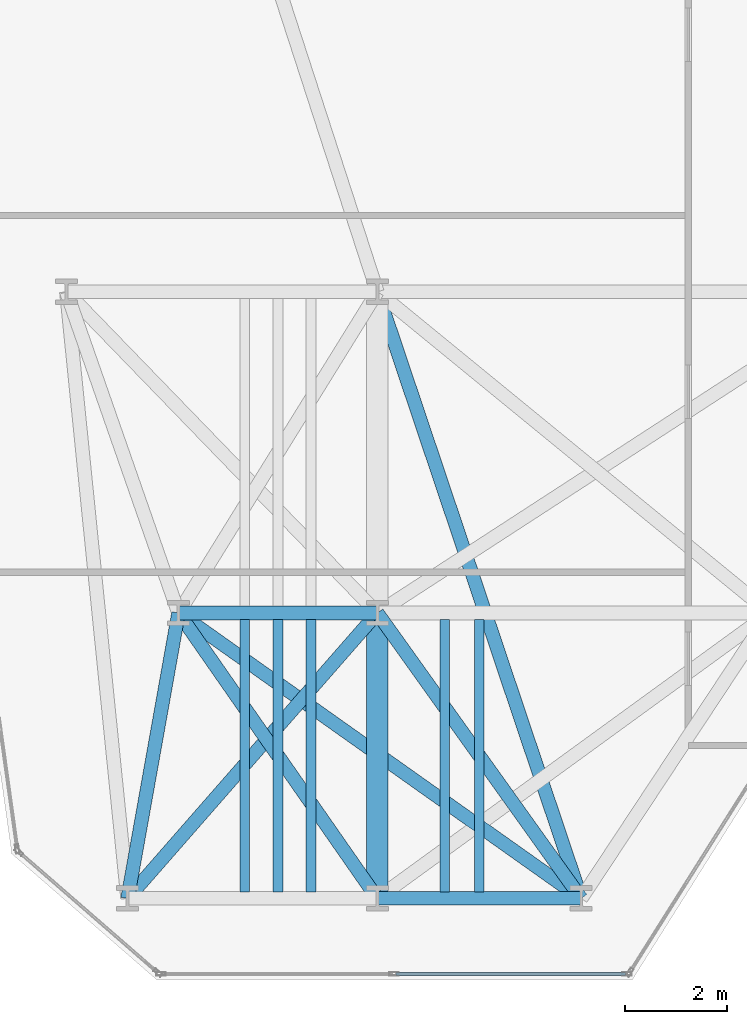
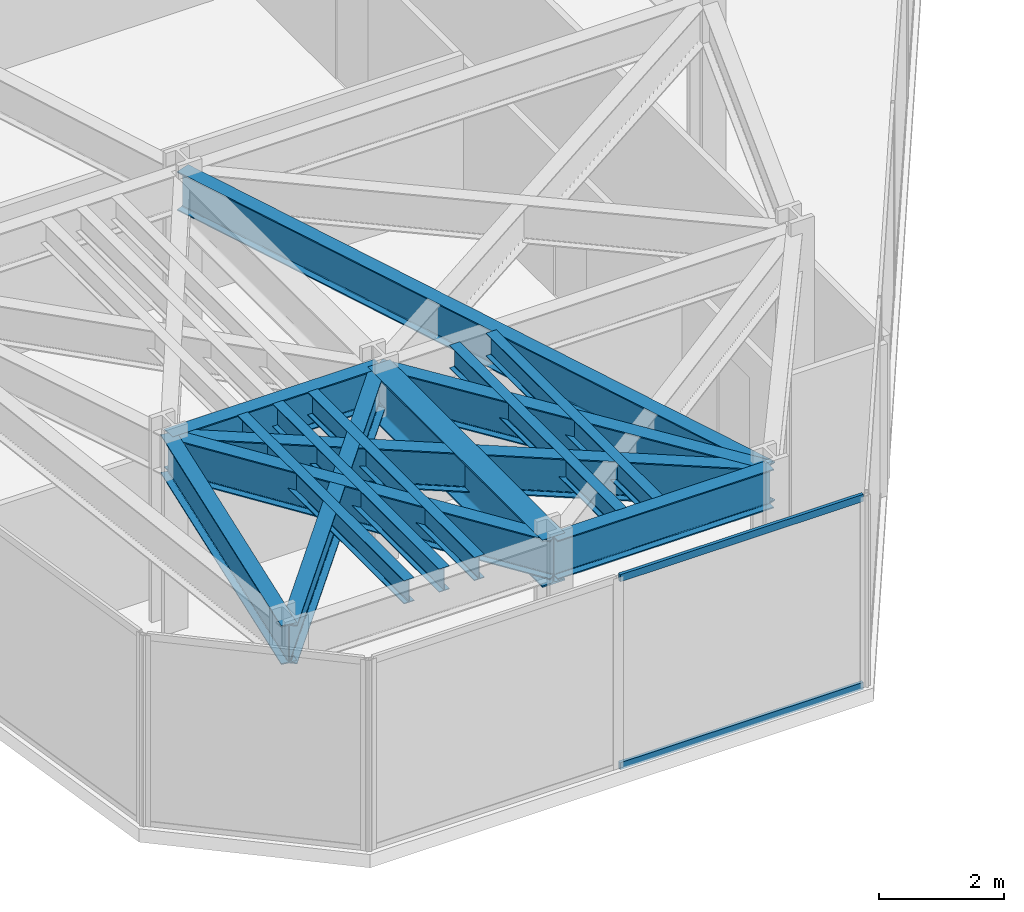
# One storey, part 3 of 24: 14 beams, 2 members, 1 element without a shape of its own.
"""IFC4 building model written with IfcOpenShell, lengths in metres."""

from ifc_helpers import new_model, si_unit, direction, frame, origin, origin_2d, place, context, subcontext, project, spatial, hollow_rectangle, i_section, extrude, material, layer, layer_set, material_profile, profile_set, type_object, element, aggregate, save


model = new_model("IFC4")

# Units and contexts
model_context = context("Model", 3, precision=1e-05, world=origin(), true_north=direction((0.0, 1.0)))
body_context = subcontext(model_context, "Body", "Model", "MODEL_VIEW")
ifc_project = project(units=[si_unit("LENGTHUNIT", "METRE"), si_unit("AREAUNIT", "SQUARE_METRE"), si_unit("VOLUMEUNIT", "CUBIC_METRE"), si_unit("PLANEANGLEUNIT", "RADIAN"), si_unit("MASSUNIT", "GRAM", prefix="KILO")], contexts=[model_context])

# Site, building, storey
site_placement = place(None, origin())
site = spatial("IfcSite", under=ifc_project, at=site_placement, CompositionType="ELEMENT")
building_placement = place(site_placement, origin())
building = spatial("IfcBuilding", under=site, at=building_placement, Name="Kravanh Interchange Tower", CompositionType="ELEMENT")
storey_placement = place(building_placement, frame((0.0, 0.0, 61.5)))
storey = spatial("IfcBuildingStorey", under=building, at=storey_placement, Name="L14", CompositionType="ELEMENT", Elevation=61.5)

# Curtain wall, members
ifc_material_1 = material(Name="Anodised Bronze Aluminium", Category="aluminium")
ifc_layer = layer(ifc_material_1, 0.179931640625)
ifc_layer_set = layer_set([ifc_layer], Name="Unitised Curtain Wall System CW-Z1 Lower Office")
curtain_wall_type = type_object("IfcCurtainWallType", Name="Unitised Curtain Wall System CW-Z1 Lower Office", PredefinedType="NOTDEFINED", material=ifc_layer_set)
curtain_wall_placement = place(storey_placement, origin())
curtain_wall = element("IfcCurtainWall", 1, at=curtain_wall_placement, inside=storey, type_object=curtain_wall_type, Name="L14 Unitised Curtain Wall CW-L14-06", PredefinedType="NOTDEFINED")
ifc_material_2 = material(Name="Anodised Bronze Aluminium", Category="aluminium")
ifc_material_profile_1 = material_profile(ifc_material_2, hollow_rectangle(XDim=0.06005859375, YDim=0.139892578125, WallThickness=0.00390625, at=origin_2d()), Name="ALU60X140X4")
ifc_profile_set_1 = profile_set([ifc_material_profile_1], Name="Anodised Bronze Aluminium")
member_type = type_object("IfcMemberType", Name="Curtain Wall Transom ALU60X140X4 Bronze", PredefinedType="USERDEFINED", material=ifc_profile_set_1)
member_1_placement = place(storey_placement, frame((22.36376953125, 1.1201171875, 0.030029296875), z_axis=(-1.0, 0.0, 0.0), x_axis=(0.0, -1.0, 0.0)))
member_1 = element("IfcMember", 2, at=member_1_placement, type_object=member_type, Name="CW-Z1 transom 1.1", ObjectType="TRANSOM", PredefinedType="USERDEFINED", context=body_context, shape_type="SweptSolid", body=[
    extrude(hollow_rectangle(XDim=0.06005859375, YDim=0.139892578125, WallThickness=0.00390625, at=origin_2d()), origin(), (0.0, 0.0, 1.0), 4.50146484375),
])
member_2_placement = place(storey_placement, frame((22.36376953125, 1.1201171875, 3.7099609375), z_axis=(-1.0, 0.0, 0.0), x_axis=(0.0, -1.0, 0.0)))
member_2 = element("IfcMember", 3, at=member_2_placement, type_object=member_type, Name="CW-Z1 transom 1.2", ObjectType="TRANSOM", PredefinedType="USERDEFINED", context=body_context, shape_type="SweptSolid", body=[
    extrude(hollow_rectangle(XDim=0.06005859375, YDim=0.139892578125, WallThickness=0.00390625, at=origin_2d()), origin(), (0.0, 0.0, 1.0), 4.50146484375),
])
aggregate(curtain_wall, [member_1, member_2])

# Beams
ifc_material_3 = material(Name="Structural Steel S355", Category="steel")
ifc_material_profile_2 = material_profile(ifc_material_3, i_section(OverallWidth=0.41796875, OverallDepth=0.927001953125, WebThickness=0.019287109375, FlangeThickness=0.031982421875, FilletRadius=0.028076171875, at=origin_2d()), Name="W36X231")
ifc_profile_set_2 = profile_set([ifc_material_profile_2], Name="Structural Steel S355")
beam_type_1 = type_object("IfcBeamType", Name="Floor Beam W36X231 Structural Steel S355", PredefinedType="BEAM", material=ifc_profile_set_2)
beam_1_placement = place(storey_placement, frame((17.5, 2.60009765625, 3.276611328125), z_axis=(0.0, 1.0, 0.0), x_axis=(-1.0, 0.0, 0.0)))
element("IfcBeam", 4, at=beam_1_placement, inside=storey, type_object=beam_type_1, Name="L14 Primary Floor Girder 103", PredefinedType="BEAM", context=body_context, shape_type="SweptSolid", body=[
    extrude(i_section(OverallWidth=0.41796875, OverallDepth=0.927001953125, WebThickness=0.019287109375, FlangeThickness=0.031982421875, FilletRadius=0.028076171875, at=origin_2d()), origin(), (0.0, 0.0, 1.0), 5.599853515625),
])
ifc_material_4 = material(Name="Structural Steel S355", Category="steel")
ifc_material_profile_3 = material_profile(ifc_material_4, i_section(OverallWidth=0.18994140625, OverallDepth=0.45703125, WebThickness=0.009033203125, FlangeThickness=0.014404296875, FilletRadius=0.01806640625, at=origin_2d()), Name="W18X50")
ifc_profile_set_3 = profile_set([ifc_material_profile_3], Name="Structural Steel S355")
beam_type_2 = type_object("IfcBeamType", Name="Floor Joist W18X50 Structural Steel S355", PredefinedType="JOIST", material=ifc_profile_set_3)
for number, where, z_axis, x_axis, name in (
    (5, (14.89990234375, 2.728515625, 3.511474609375), (0.0, 1.0, 0.0), (-1.0, 0.0, 0.0), "L14 Secondary Floor Joist 1"),
    (6, (15.550048828125, 2.728515625, 3.511474609375), (0.0, 1.0, 0.0), (-1.0, 0.0, 0.0), "L14 Secondary Floor Joist 2"),
    (7, (16.199951171875, 2.728515625, 3.511474609375), (0.0, 1.0, 0.0), (-1.0, 0.0, 0.0), "L14 Secondary Floor Joist 3"),
    (8, (18.824951171875, 2.728515625, 3.511474609375), (0.0, 1.0, 0.0), (-1.0, 0.0, 0.0), "L14 Secondary Floor Joist 4"),
    (9, (19.5, 2.728515625, 3.511474609375), (0.0, 1.0, 0.0), (-1.0, 0.0, 0.0), "L14 Secondary Floor Joist 5"),
):
    element("IfcBeam", number, at=place(storey_placement, frame(where, z_axis=z_axis, x_axis=x_axis)), inside=storey, type_object=beam_type_2, Name=name, PredefinedType="JOIST", context=body_context, shape_type="SweptSolid", body=[
        extrude(i_section(OverallWidth=0.18994140625, OverallDepth=0.45703125, WebThickness=0.009033203125, FlangeThickness=0.014404296875, FilletRadius=0.01806640625, at=origin_2d()), origin(), (0.0, 0.0, 1.0), 5.343017578125),
    ])
ifc_material_5 = material(Name="Structural Steel S355", Category="steel")
ifc_material_profile_4 = material_profile(ifc_material_5, i_section(OverallWidth=0.26708984375, OverallDepth=0.761962890625, WebThickness=0.014404296875, FlangeThickness=0.021484375, FilletRadius=0.02490234375, at=origin_2d()), Name="W30X116")
ifc_profile_set_4 = profile_set([ifc_material_profile_4], Name="Structural Steel S355")
beam_type_3 = type_object("IfcBeamType", Name="Floor Spandrel W30X116 Structural Steel S355", PredefinedType="SPANDREL", material=ifc_profile_set_4)
beam_2_placement = place(storey_placement, frame((12.60009765625, 2.60009765625, 3.35888671875), z_axis=(0.175795094814, 0.984426779725, 0.0), x_axis=(-0.984426779725, 0.175795094814, 0.0)))
element("IfcBeam", 10, at=beam_2_placement, inside=storey, type_object=beam_type_3, Name="L14 Perimeter Spandrel 39", PredefinedType="SPANDREL", context=body_context, shape_type="SweptSolid", body=[
    extrude(i_section(OverallWidth=0.26708984375, OverallDepth=0.761962890625, WebThickness=0.014404296875, FlangeThickness=0.021484375, FilletRadius=0.02490234375, at=origin_2d()), origin(), (0.0, 0.0, 1.0), 5.6884765625),
])
beam_3_placement = place(storey_placement, frame((12.60009765625, 2.60009765625, 3.35888671875), z_axis=(0.658506930733, 0.752574662194, 0.0), x_axis=(-0.752574662194, 0.658506930733, 0.0)))
element("IfcBeam", 11, at=beam_3_placement, inside=storey, type_object=beam_type_3, Name="L14 Perimeter Spandrel 40", PredefinedType="SPANDREL", context=body_context, shape_type="SweptSolid", body=[
    extrude(i_section(OverallWidth=0.26708984375, OverallDepth=0.761962890625, WebThickness=0.014404296875, FlangeThickness=0.021484375, FilletRadius=0.02490234375, at=origin_2d()), origin(), (0.0, 0.0, 1.0), 7.44091796875),
])
beam_4_placement = place(storey_placement, frame((17.5, 2.60009765625, 3.35888671875), z_axis=(1.0, 0.0, 0.0), x_axis=(0.0, 1.0, 0.0)))
element("IfcBeam", 12, at=beam_4_placement, inside=storey, type_object=beam_type_3, Name="L14 Perimeter Spandrel 102", PredefinedType="SPANDREL", context=body_context, shape_type="SweptSolid", body=[
    extrude(i_section(OverallWidth=0.26708984375, OverallDepth=0.761962890625, WebThickness=0.014404296875, FlangeThickness=0.021484375, FilletRadius=0.02490234375, at=origin_2d()), origin(), (0.0, 0.0, 1.0), 4.0),
])
beam_5_placement = place(storey_placement, frame((17.5, 2.60009765625, 3.35888671875), z_axis=(-0.571494183969, 0.820606116045, 0.0), x_axis=(-0.820606116045, -0.571494183969, 0.0)))
element("IfcBeam", 13, at=beam_5_placement, inside=storey, type_object=beam_type_3, Name="L14 Perimeter Spandrel 104", PredefinedType="SPANDREL", context=body_context, shape_type="SweptSolid", body=[
    extrude(i_section(OverallWidth=0.26708984375, OverallDepth=0.761962890625, WebThickness=0.014404296875, FlangeThickness=0.021484375, FilletRadius=0.02490234375, at=origin_2d()), origin(), (0.0, 0.0, 1.0), 6.823974609375),
])
beam_6_placement = place(storey_placement, frame((21.5, 2.60009765625, 3.35888671875), z_axis=(-0.581248261352, 0.813726279946, 0.0), x_axis=(-0.813726279946, -0.581248261352, 0.0)))
element("IfcBeam", 14, at=beam_6_placement, inside=storey, type_object=beam_type_3, Name="L14 Perimeter Spandrel 122", PredefinedType="SPANDREL", context=body_context, shape_type="SweptSolid", body=[
    extrude(i_section(OverallWidth=0.26708984375, OverallDepth=0.761962890625, WebThickness=0.014404296875, FlangeThickness=0.021484375, FilletRadius=0.02490234375, at=origin_2d()), origin(), (0.0, 0.0, 1.0), 6.8818359375),
])
beam_7_placement = place(storey_placement, frame((21.5, 2.60009765625, 3.35888671875), z_axis=(-0.815825239527, 0.578298520274, 0.0), x_axis=(-0.578298520274, -0.815825239527, 0.0)))
element("IfcBeam", 15, at=beam_7_placement, inside=storey, type_object=beam_type_3, Name="L14 Perimeter Spandrel 123", PredefinedType="SPANDREL", context=body_context, shape_type="SweptSolid", body=[
    extrude(i_section(OverallWidth=0.26708984375, OverallDepth=0.761962890625, WebThickness=0.014404296875, FlangeThickness=0.021484375, FilletRadius=0.02490234375, at=origin_2d()), origin(), (0.0, 0.0, 1.0), 9.683349609375),
])
beam_8_placement = place(storey_placement, frame((21.5, 2.60009765625, 3.35888671875), z_axis=(-0.318618734989, 0.947882957814, 0.0), x_axis=(-0.947882957814, -0.318618734989, 0.0)))
element("IfcBeam", 16, at=beam_8_placement, inside=storey, type_object=beam_type_3, Name="L14 Perimeter Spandrel 124", PredefinedType="SPANDREL", context=body_context, shape_type="SweptSolid", body=[
    extrude(i_section(OverallWidth=0.26708984375, OverallDepth=0.761962890625, WebThickness=0.014404296875, FlangeThickness=0.021484375, FilletRadius=0.02490234375, at=origin_2d()), origin(), (0.0, 0.0, 1.0), 12.55419921875),
])
beam_9_placement = place(storey_placement, frame((13.60009765625, 8.199951171875, 3.35888671875), z_axis=(1.0, 0.0, 0.0), x_axis=(0.0, 1.0, 0.0)))
element("IfcBeam", 17, at=beam_9_placement, inside=storey, type_object=beam_type_3, Name="L14 Perimeter Spandrel 133", PredefinedType="SPANDREL", context=body_context, shape_type="SweptSolid", body=[
    extrude(i_section(OverallWidth=0.26708984375, OverallDepth=0.761962890625, WebThickness=0.014404296875, FlangeThickness=0.021484375, FilletRadius=0.02490234375, at=origin_2d()), origin(), (0.0, 0.0, 1.0), 3.89990234375),
])

save(model, "model.ifc")
